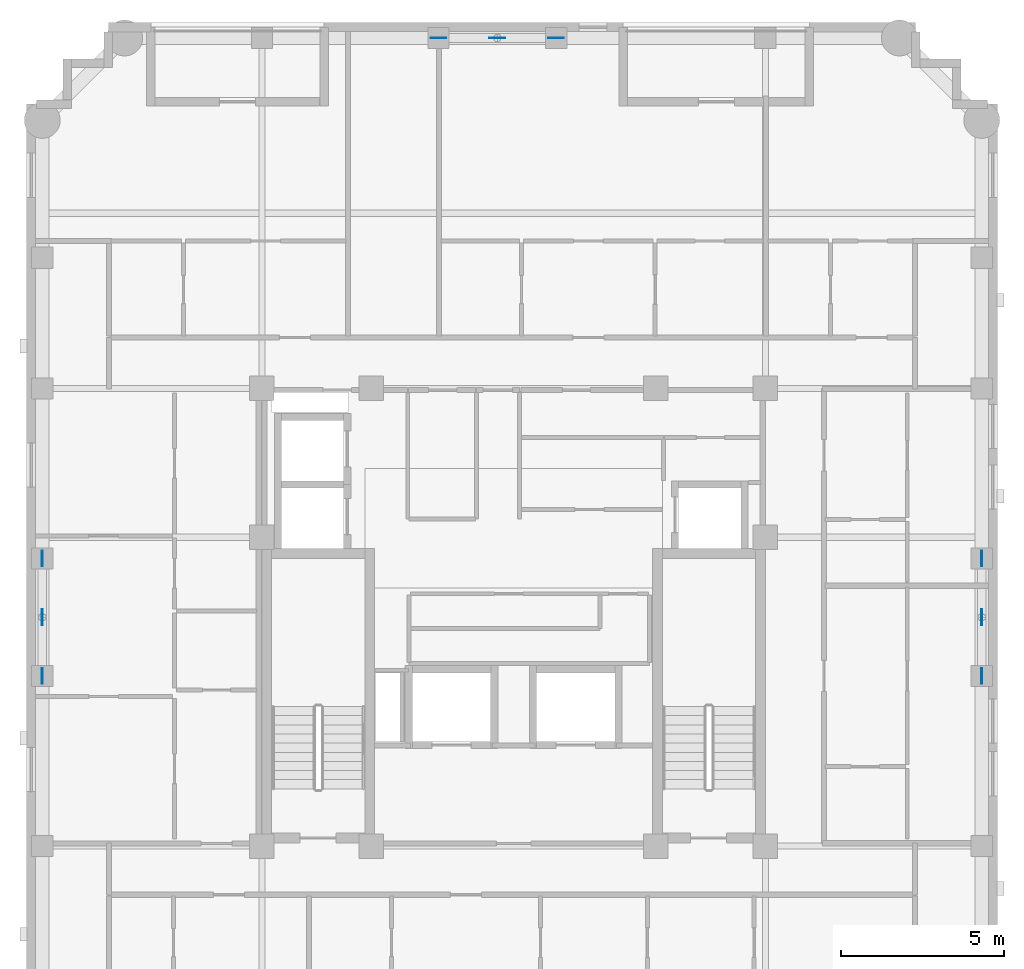
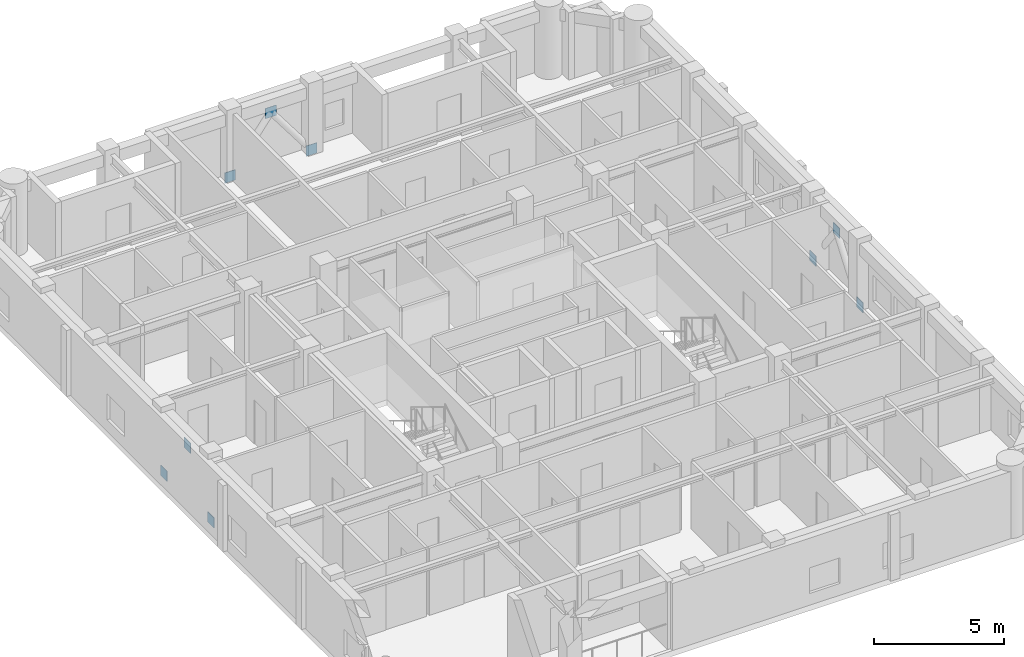
# One storey, part 8 of 10: 9 discrete accessories.
"""IFC4 building model written with IfcOpenShell, lengths in metres."""

from ifc_helpers import new_model, si_unit, derived_unit, direction, frame, origin, origin_2d, place, context, subcontext, project, spatial, rectangle, extrude, material, layer, layer_set, type_object, element, save


model = new_model("IFC4")

# Units and contexts
model_context = context("Model", 3, precision=1e-05, world=origin(), true_north=direction((0.0, 1.0)))
body_context = subcontext(model_context, "Body", "Model", "MODEL_VIEW")
ifc_project = project(units=[si_unit("LENGTHUNIT", "METRE"), si_unit("AREAUNIT", "SQUARE_METRE"), si_unit("VOLUMEUNIT", "CUBIC_METRE"), si_unit("PLANEANGLEUNIT", "RADIAN"), si_unit("MASSUNIT", "GRAM", prefix="KILO"), derived_unit("THERMALTRANSMITTANCEUNIT", [(si_unit("MASSUNIT", "GRAM", prefix="KILO"), 1), (si_unit("TIMEUNIT", "SECOND"), -3), (si_unit("THERMODYNAMICTEMPERATUREUNIT", "KELVIN"), -1)])], contexts=[model_context])

# Site, building, storey
site_placement = place(None, origin())
site = spatial("IfcSite", under=ifc_project, at=site_placement, CompositionType="ELEMENT")
building_placement = place(site_placement, origin())
building = spatial("IfcBuilding", under=site, at=building_placement, Name="Korrvale Station Residences", CompositionType="ELEMENT")
storey_placement = place(building_placement, frame((0.0, 0.0, 220.699951171875)))
storey = spatial("IfcBuildingStorey", under=building, at=storey_placement, Name="L64", CompositionType="ELEMENT", Elevation=220.699951171875)

# Discrete accessories
ifc_material = material(Name="Steel S355", Category="steel")
ifc_layer = layer(ifc_material, 0.02490234375, Name="Steel S355")
ifc_layer_set = layer_set([ifc_layer], Name="Steel S355")
discrete_accessory_type = type_object("IfcDiscreteAccessoryType", Name="ACC-GUSSET-25", PredefinedType="BRACKET", material=ifc_layer_set)
for number, where, z_axis, x_axis, name in (
    (1, (23.199951171875, 39.719970703125, -0.219970703125), (0.0, 0.0, 1.0), (1.0, 0.0, 0.0), "L64 N Brace End Gusset Connection A"),
    (2, (26.800048828125, 39.719970703125, -0.219970703125), (0.0, 0.0, 1.0), (1.0, 0.0, 0.0), "L64 N Brace End Gusset Connection B"),
    (3, (25.0, 39.719970703125, 2.170166015625), (0.0, 0.0, 1.0), (1.0, 0.0, 0.0), "L64 N Brace End Gusset Connection M"),
    (4, (11.080078125, 20.199951171875, -0.219970703125), (0.0, 0.0, 1.0), (0.0, 1.0, 0.0), "L64 W Brace End Gusset Connection A"),
    (5, (11.080078125, 23.800048828125, -0.219970703125), (0.0, 0.0, 1.0), (0.0, 1.0, 0.0), "L64 W Brace End Gusset Connection B"),
    (6, (11.080078125, 22.0, 2.170166015625), (0.0, 0.0, 1.0), (0.0, 1.0, 0.0), "L64 W Brace End Gusset Connection M"),
    (7, (39.820068359375, 20.199951171875, -0.219970703125), (0.0, 0.0, 1.0), (0.0, 1.0, 0.0), "L64 E Brace End Gusset Connection A"),
    (8, (39.820068359375, 23.800048828125, -0.219970703125), (0.0, 0.0, 1.0), (0.0, 1.0, 0.0), "L64 E Brace End Gusset Connection B"),
    (9, (39.820068359375, 22.0, 2.170166015625), (0.0, 0.0, 1.0), (0.0, 1.0, 0.0), "L64 E Brace End Gusset Connection M"),
):
    element("IfcDiscreteAccessory", number, at=place(storey_placement, frame(where, z_axis=z_axis, x_axis=x_axis)), inside=storey, type_object=discrete_accessory_type, Name=name, PredefinedType="BRACKET", context=body_context, shape_type="SweptSolid", body=[
        extrude(rectangle(XDim=0.47998046875, YDim=0.02490234375, at=origin_2d()), origin(), (0.0, 0.0, 1.0), 0.47998046875),
    ])

save(model, "model.ifc")
